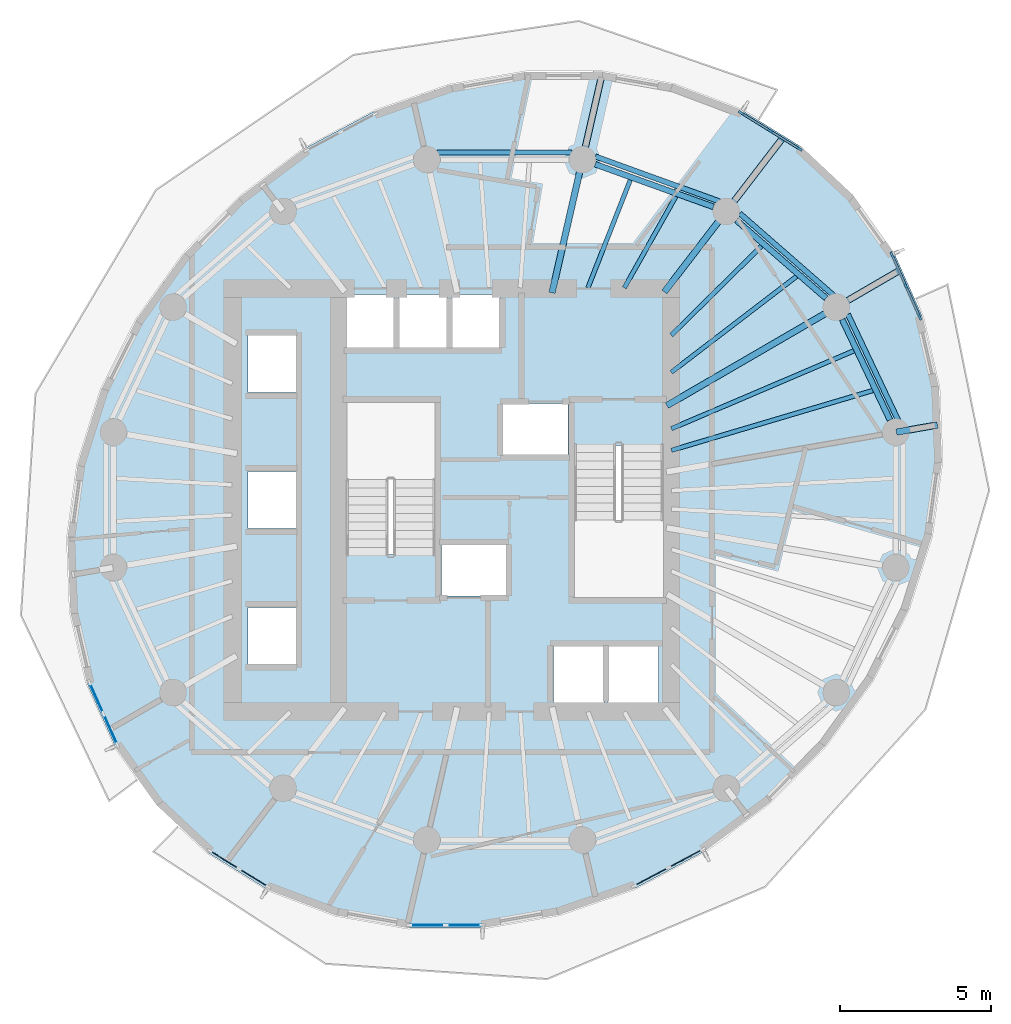
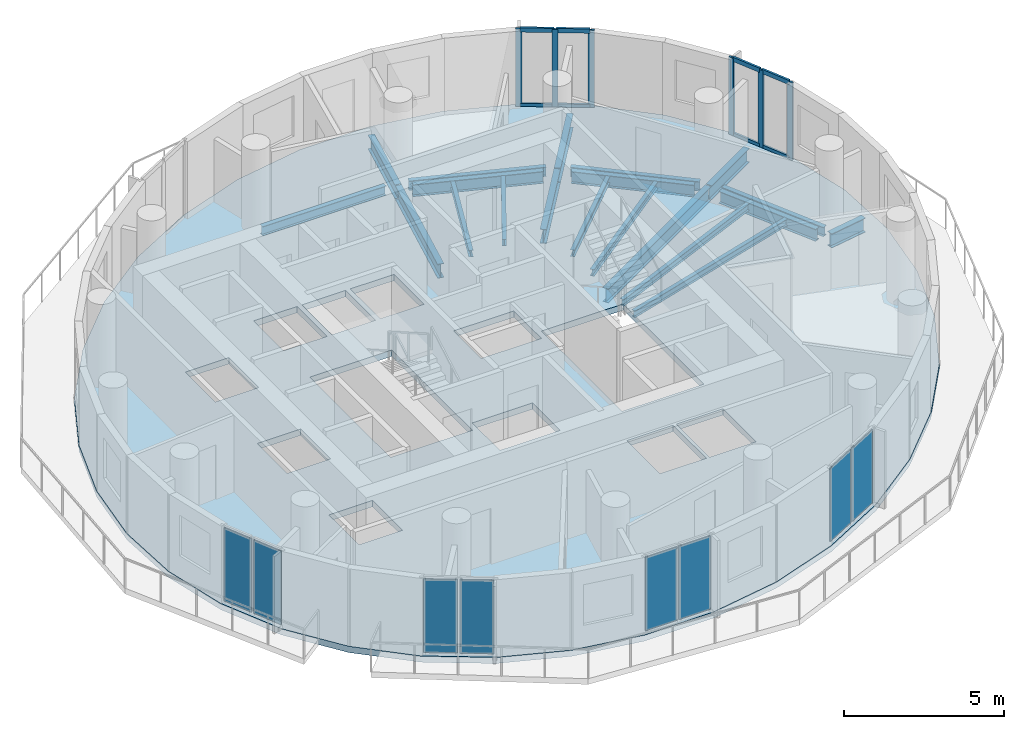
# One storey, part 3 of 10: 20 beams, 14 members, 8 plates, 1 slab, 6 elements without a shape of their own.
"""IFC4 building model written with IfcOpenShell, lengths in metres."""

from ifc_helpers import new_model, si_unit, direction, frame, origin, origin_2d, place, context, subcontext, project, spatial, polyline, rectangle, i_section, outline, extrude, material, layer, layer_set, material_profile, profile_set, type_object, element, aggregate, save


model = new_model("IFC4")

# Units and contexts
model_context = context("Model", 3, precision=1e-05, world=origin(), true_north=direction((0.0, 1.0)))
body_context = subcontext(model_context, "Body", "Model", "MODEL_VIEW")
ifc_project = project(units=[si_unit("LENGTHUNIT", "METRE"), si_unit("AREAUNIT", "SQUARE_METRE"), si_unit("VOLUMEUNIT", "CUBIC_METRE"), si_unit("PLANEANGLEUNIT", "RADIAN"), si_unit("MASSUNIT", "GRAM", prefix="KILO")], contexts=[model_context])

# Site, building, storey
site_placement = place(None, origin())
site = spatial("IfcSite", under=ifc_project, at=site_placement, CompositionType="ELEMENT")
building_placement = place(site_placement, origin())
building = spatial("IfcBuilding", under=site, at=building_placement, Name="Veldorim Arch Residences", CompositionType="ELEMENT")
storey_placement = place(building_placement, frame((0.0, 0.0, 166.239990234375)))
storey = spatial("IfcBuildingStorey", under=building, at=storey_placement, Name="L49", CompositionType="ELEMENT", Elevation=166.239990234375)

# Beams
ifc_material_1 = material(Name="Steel S355", Category="steel")
ifc_material_profile_1 = material_profile(ifc_material_1, i_section(OverallWidth=0.2119140625, OverallDepth=0.54443359375, WebThickness=0.0126953125, FlangeThickness=0.021240234375, at=origin_2d()), Name="UB533x210x122")
ifc_profile_set_1 = profile_set([ifc_material_profile_1], Name="Steel S355")
beam_type_1 = type_object("IfcBeamType", Name="Structural Steel Beam UB533x210x122", PredefinedType="BEAM", material=ifc_profile_set_1)
beam_1_placement = place(storey_placement, frame((44.966064453125, 26.242919921875, -0.51220703125), z_axis=(0.985349360006, 0.170548054035, 0.0), x_axis=(-0.170548054035, 0.985349360006, 0.0)))
element("IfcBeam", 1, at=beam_1_placement, inside=storey, type_object=beam_type_1, Name="L49 radial edge cantilever girder 01", PredefinedType="BEAM", context=body_context, shape_type="SweptSolid", body=[
    extrude(i_section(OverallWidth=0.2119140625, OverallDepth=0.54443359375, WebThickness=0.0126953125, FlangeThickness=0.021240234375, at=origin_2d()), origin(), (0.0, 0.0, 1.0), 1.377197265625),
])
beam_2_placement = place(storey_placement, frame((37.370361328125, 27.12060546875, -0.51220703125), z_axis=(0.864595736304, 0.502468121142, 0.0), x_axis=(-0.502468121142, 0.864595736304, 0.0)))
element("IfcBeam", 2, at=beam_2_placement, inside=storey, type_object=beam_type_1, Name="L49 radial floor girder 02", PredefinedType="BEAM", context=body_context, shape_type="SweptSolid", body=[
    extrude(i_section(OverallWidth=0.2119140625, OverallDepth=0.54443359375, WebThickness=0.0126953125, FlangeThickness=0.021240234375, at=origin_2d()), origin(), (0.0, 0.0, 1.0), 6.462646484375),
])
beam_3_placement = place(storey_placement, frame((42.99267578125, 30.387939453125, -0.51220703125), z_axis=(0.864610127671, 0.502443357135, 0.0), x_axis=(-0.502443357135, 0.864610127671, 0.0)))
element("IfcBeam", 3, at=beam_3_placement, inside=storey, type_object=beam_type_1, Name="L49 radial edge cantilever girder 02", PredefinedType="BEAM", context=body_context, shape_type="SweptSolid", body=[
    extrude(i_section(OverallWidth=0.2119140625, OverallDepth=0.54443359375, WebThickness=0.0126953125, FlangeThickness=0.021240234375, at=origin_2d()), origin(), (0.0, 0.0, 1.0), 2.372314453125),
])
beam_4_placement = place(storey_placement, frame((37.28662109375, 30.881103515625, -0.51220703125), z_axis=(0.609258442308, 0.792971721108, 0.0), x_axis=(-0.792971721108, 0.609258442308, 0.0)))
element("IfcBeam", 4, at=beam_4_placement, inside=storey, type_object=beam_type_1, Name="L49 radial floor girder 03", PredefinedType="BEAM", context=body_context, shape_type="SweptSolid", body=[
    extrude(i_section(OverallWidth=0.2119140625, OverallDepth=0.54443359375, WebThickness=0.0126953125, FlangeThickness=0.021240234375, at=origin_2d()), origin(), (0.0, 0.0, 1.0), 3.339599609375),
])
beam_5_placement = place(storey_placement, frame((39.345703125, 33.561279296875, -0.51220703125), z_axis=(0.609245785417, 0.792981445528, 0.0), x_axis=(-0.792981445528, 0.609245785417, 0.0)))
element("IfcBeam", 5, at=beam_5_placement, inside=storey, type_object=beam_type_1, Name="L49 radial edge cantilever girder 03", PredefinedType="BEAM", context=body_context, shape_type="SweptSolid", body=[
    extrude(i_section(OverallWidth=0.2119140625, OverallDepth=0.54443359375, WebThickness=0.0126953125, FlangeThickness=0.021240234375, at=origin_2d()), origin(), (0.0, 0.0, 1.0), 3.020263671875),
])
beam_6_placement = place(storey_placement, frame((33.567626953125, 30.853759765625, -0.51220703125), z_axis=(0.222952976993, 0.97482920045, 0.0), x_axis=(-0.97482920045, 0.222952976993, 0.0)))
element("IfcBeam", 6, at=beam_6_placement, inside=storey, type_object=beam_type_1, Name="L49 radial floor girder 04", PredefinedType="BEAM", context=body_context, shape_type="SweptSolid", body=[
    extrude(i_section(OverallWidth=0.2119140625, OverallDepth=0.54443359375, WebThickness=0.0126953125, FlangeThickness=0.021240234375, at=origin_2d()), origin(), (0.0, 0.0, 1.0), 4.49951171875),
])
beam_7_placement = place(storey_placement, frame((34.57958984375, 35.27880859375, -0.51220703125), z_axis=(0.222975521586, 0.974824044007, 0.0), x_axis=(-0.974824044007, 0.222975521586, 0.0)))
element("IfcBeam", 7, at=beam_7_placement, inside=storey, type_object=beam_type_1, Name="L49 radial edge cantilever girder 04", PredefinedType="BEAM", context=body_context, shape_type="SweptSolid", body=[
    extrude(i_section(OverallWidth=0.2119140625, OverallDepth=0.54443359375, WebThickness=0.0126953125, FlangeThickness=0.021240234375, at=origin_2d()), origin(), (0.0, 0.0, 1.0), 2.85888671875),
])
ifc_material_2 = material(Name="Steel S355", Category="steel")
ifc_material_profile_2 = material_profile(ifc_material_2, i_section(OverallWidth=0.146484375, OverallDepth=0.256103515625, WebThickness=0.00634765625, FlangeThickness=0.010986328125, at=origin_2d()), Name="UB254x146x37")
ifc_profile_set_2 = profile_set([ifc_material_profile_2], Name="Steel S355")
beam_type_2 = type_object("IfcBeamType", Name="Structural Steel Joist UB254x146x37", PredefinedType="JOIST", material=ifc_profile_set_2)
beam_8_placement = place(storey_placement, frame((37.519287109375, 25.639404296875, -0.367919921875), z_axis=(0.958594432792, 0.284774846889, 0.0), x_axis=(-0.284774846889, 0.958594432792, 0.0)))
element("IfcBeam", 8, at=beam_8_placement, inside=storey, type_object=beam_type_2, Name="L49 secondary radial floor joist 01-1", PredefinedType="JOIST", context=body_context, shape_type="SweptSolid", body=[
    extrude(i_section(OverallWidth=0.146484375, OverallDepth=0.256103515625, WebThickness=0.00634765625, FlangeThickness=0.010986328125, at=origin_2d()), origin(), (0.0, 0.0, 1.0), 6.949462890625),
])
beam_9_placement = place(storey_placement, frame((37.518310546875, 26.355712890625, -0.367919921875), z_axis=(0.919725161652, 0.392562895629, 0.0), x_axis=(-0.392562895629, 0.919725161652, 0.0)))
element("IfcBeam", 9, at=beam_9_placement, inside=storey, type_object=beam_type_2, Name="L49 secondary radial floor joist 01-2", PredefinedType="JOIST", context=body_context, shape_type="SweptSolid", body=[
    extrude(i_section(OverallWidth=0.146484375, OverallDepth=0.256103515625, WebThickness=0.00634765625, FlangeThickness=0.010986328125, at=origin_2d()), origin(), (0.0, 0.0, 1.0), 6.5625),
])
beam_10_placement = place(storey_placement, frame((37.515869140625, 28.222900390625, -0.367919921875), z_axis=(0.794013672216, 0.607899899929, 0.0), x_axis=(-0.607899899929, 0.794013672216, 0.0)))
element("IfcBeam", 10, at=beam_10_placement, inside=storey, type_object=beam_type_2, Name="L49 secondary radial floor joist 02-1", PredefinedType="JOIST", context=body_context, shape_type="SweptSolid", body=[
    extrude(i_section(OverallWidth=0.146484375, OverallDepth=0.256103515625, WebThickness=0.00634765625, FlangeThickness=0.010986328125, at=origin_2d()), origin(), (0.0, 0.0, 1.0), 5.217041015625),
])
beam_11_placement = place(storey_placement, frame((37.51416015625, 29.44775390625, -0.367919921875), z_axis=(0.711396725432, 0.702790650937, 0.0), x_axis=(-0.702790650937, 0.711396725432, 0.0)))
element("IfcBeam", 11, at=beam_11_placement, inside=storey, type_object=beam_type_2, Name="L49 secondary radial floor joist 02-2", PredefinedType="JOIST", context=body_context, shape_type="SweptSolid", body=[
    extrude(i_section(OverallWidth=0.146484375, OverallDepth=0.256103515625, WebThickness=0.00634765625, FlangeThickness=0.010986328125, at=origin_2d()), origin(), (0.0, 0.0, 1.0), 4.198486328125),
])
beam_12_placement = place(storey_placement, frame((35.960205078125, 31.017333984375, -0.367919921875), z_axis=(0.491452469585, 0.870904397818, 0.0), x_axis=(-0.870904397818, 0.491452469585, 0.0)))
element("IfcBeam", 12, at=beam_12_placement, inside=storey, type_object=beam_type_2, Name="L49 secondary radial floor joist 03-1", PredefinedType="JOIST", context=body_context, shape_type="SweptSolid", body=[
    extrude(i_section(OverallWidth=0.146484375, OverallDepth=0.256103515625, WebThickness=0.00634765625, FlangeThickness=0.010986328125, at=origin_2d()), origin(), (0.0, 0.0, 1.0), 3.472412109375),
])
beam_13_placement = place(storey_placement, frame((34.75634765625, 31.0185546875, -0.367919921875), z_axis=(0.365581383042, 0.930779379001, 0.0), x_axis=(-0.930779379001, 0.365581383042, 0.0)))
element("IfcBeam", 13, at=beam_13_placement, inside=storey, type_object=beam_type_2, Name="L49 secondary radial floor joist 03-2", PredefinedType="JOIST", context=body_context, shape_type="SweptSolid", body=[
    extrude(i_section(OverallWidth=0.146484375, OverallDepth=0.256103515625, WebThickness=0.00634765625, FlangeThickness=0.010986328125, at=origin_2d()), origin(), (0.0, 0.0, 1.0), 3.83056640625),
])
ifc_material_3 = material(Name="Steel S355", Category="steel")
ifc_material_profile_3 = material_profile(ifc_material_3, i_section(OverallWidth=0.172119140625, OverallDepth=0.35791015625, WebThickness=0.008056640625, FlangeThickness=0.012939453125, at=origin_2d()), Name="UB356x171x57")
ifc_profile_set_3 = profile_set([ifc_material_profile_3], Name="Steel S355")
beam_type_3 = type_object("IfcBeamType", Name="Structural Steel Spandrel UB356x171x57", PredefinedType="SPANDREL", material=ifc_profile_set_3)
beam_14_placement = place(storey_placement, frame((45.0205078125, 26.6396484375, -0.43896484375), z_axis=(-0.428408308939, 0.903585259304, 0.0), x_axis=(-0.903585259304, -0.428408308939, 0.0)))
element("IfcBeam", 14, at=beam_14_placement, inside=storey, type_object=beam_type_3, Name="L49 perimeter chord spandrel beam 01", PredefinedType="SPANDREL", context=body_context, shape_type="SweptSolid", body=[
    extrude(i_section(OverallWidth=0.172119140625, OverallDepth=0.35791015625, WebThickness=0.008056640625, FlangeThickness=0.012939453125, at=origin_2d()), origin(), (0.0, 0.0, 1.0), 3.878662109375),
])
beam_15_placement = place(storey_placement, frame((42.891357421875, 30.762939453125, -0.43896484375), z_axis=(-0.752847646119, 0.6581948205, 0.0), x_axis=(-0.6581948205, -0.752847646119, 0.0)))
element("IfcBeam", 15, at=beam_15_placement, inside=storey, type_object=beam_type_3, Name="L49 perimeter chord spandrel beam 02", PredefinedType="SPANDREL", context=body_context, shape_type="SweptSolid", body=[
    extrude(i_section(OverallWidth=0.172119140625, OverallDepth=0.35791015625, WebThickness=0.008056640625, FlangeThickness=0.012939453125, at=origin_2d()), origin(), (0.0, 0.0, 1.0), 4.12939453125),
])
beam_16_placement = place(storey_placement, frame((39.112060546875, 33.87646484375, -0.43896484375), z_axis=(-0.940164695555, 0.340720332871, 0.0), x_axis=(-0.340720332871, -0.940164695555, 0.0)))
element("IfcBeam", 16, at=beam_16_placement, inside=storey, type_object=beam_type_3, Name="L49 perimeter chord spandrel beam 03", PredefinedType="SPANDREL", context=body_context, shape_type="SweptSolid", body=[
    extrude(i_section(OverallWidth=0.172119140625, OverallDepth=0.35791015625, WebThickness=0.008056640625, FlangeThickness=0.012939453125, at=origin_2d()), origin(), (0.0, 0.0, 1.0), 4.370849609375),
])
beam_17_placement = place(storey_placement, frame((34.234375, 35.500732421875, -0.43896484375), z_axis=(-1.0, 0.0, 0.0), x_axis=(0.0, -1.0, 0.0)))
element("IfcBeam", 17, at=beam_17_placement, inside=storey, type_object=beam_type_3, Name="L49 perimeter chord spandrel beam 04", PredefinedType="SPANDREL", context=body_context, shape_type="SweptSolid", body=[
    extrude(i_section(OverallWidth=0.172119140625, OverallDepth=0.35791015625, WebThickness=0.008056640625, FlangeThickness=0.012939453125, at=origin_2d()), origin(), (0.0, 0.0, 1.0), 4.46875),
])
ifc_material_4 = material(Name="Steel S355", Category="steel")
ifc_material_profile_4 = material_profile(ifc_material_4, i_section(OverallWidth=0.19140625, OverallDepth=0.4599609375, WebThickness=0.010009765625, FlangeThickness=0.01611328125, at=origin_2d()), Name="UB457x191x82")
ifc_profile_set_4 = profile_set([ifc_material_profile_4], Name="Steel S355")
beam_type_4 = type_object("IfcBeamType", Name="Structural Steel Spandrel UB457x191x82", PredefinedType="SPANDREL", material=ifc_profile_set_4)
beam_18_placement = place(storey_placement, frame((44.7529296875, 26.64599609375, -0.469970703125), z_axis=(-0.430005613988, 0.902826213586, 0.0), x_axis=(-0.902826213586, -0.430005613988, 0.0)))
element("IfcBeam", 18, at=beam_18_placement, inside=storey, type_object=beam_type_4, Name="L49 perimeter ring tie beam 01", PredefinedType="SPANDREL", context=body_context, shape_type="SweptSolid", body=[
    extrude(i_section(OverallWidth=0.19140625, OverallDepth=0.4599609375, WebThickness=0.010009765625, FlangeThickness=0.01611328125, at=origin_2d()), origin(), (0.0, 0.0, 1.0), 3.68359375),
])
beam_19_placement = place(storey_placement, frame((42.635986328125, 30.673095703125, -0.469970703125), z_axis=(-0.754545285701, 0.656247980436, 0.0), x_axis=(-0.656247980436, -0.754545285701, 0.0)))
element("IfcBeam", 19, at=beam_19_placement, inside=storey, type_object=beam_type_4, Name="L49 perimeter ring tie beam 02", PredefinedType="SPANDREL", context=body_context, shape_type="SweptSolid", body=[
    extrude(i_section(OverallWidth=0.19140625, OverallDepth=0.4599609375, WebThickness=0.010009765625, FlangeThickness=0.01611328125, at=origin_2d()), origin(), (0.0, 0.0, 1.0), 3.9267578125),
])
beam_20_placement = place(storey_placement, frame((38.91015625, 33.69775390625, -0.469970703125), z_axis=(-0.940811035395, 0.338931550137, 0.0), x_axis=(-0.338931550137, -0.940811035395, 0.0)))
element("IfcBeam", 20, at=beam_20_placement, inside=storey, type_object=beam_type_4, Name="L49 perimeter ring tie beam 03", PredefinedType="SPANDREL", context=body_context, shape_type="SweptSolid", body=[
    extrude(i_section(OverallWidth=0.19140625, OverallDepth=0.4599609375, WebThickness=0.010009765625, FlangeThickness=0.01611328125, at=origin_2d()), origin(), (0.0, 0.0, 1.0), 4.15771484375),
])

# Curtain wall, members
ifc_material_5 = material(Name="Aluminium", Category="aluminium")
curtain_wall_type = type_object("IfcCurtainWallType", Name="Zone 4 High-Altitude Unitised Curtain Wall", PredefinedType="NOTDEFINED", material=ifc_material_5)
curtain_wall_1_placement = place(storey_placement, origin())
curtain_wall_1 = element("IfcCurtainWall", 21, at=curtain_wall_1_placement, inside=storey, type_object=curtain_wall_type, Name="L49 unitised curtain wall bay 02", PredefinedType="NOTDEFINED")
ifc_material_6 = material(Name="Aluminium", Category="aluminium")
ifc_material_profile_5 = material_profile(ifc_material_6, rectangle(XDim=0.074951171875, YDim=0.195068359375, at=origin_2d()), Name="ALU_MUL_75x195")
ifc_profile_set_5 = profile_set([ifc_material_profile_5], Name="Aluminium")
member_type_1 = type_object("IfcMemberType", Name="Zone 4 High-Altitude Unitised Curtain Wall Mullion 75x195", PredefinedType="MULLION", material=ifc_profile_set_5)
member_1_placement = place(storey_placement, frame((39.82470703125, 36.80859375, 0.0), z_axis=(0.0, 0.0, 1.0), x_axis=(0.525637112191, 0.850708896326, 0.0)))
member_1 = element("IfcMember", 22, at=member_1_placement, type_object=member_type_1, Name="CW-Z4 mullion 1", PredefinedType="MULLION", context=body_context, shape_type="SweptSolid", body=[
    extrude(rectangle(XDim=0.074951171875, YDim=0.195068359375, at=origin_2d()), origin(), (0.0, 0.0, 1.0), 2.9599609375),
])
member_2_placement = place(storey_placement, frame((40.791015625, 36.21142578125, 0.0), z_axis=(0.0, 0.0, 1.0), x_axis=(0.525637112191, 0.850708896326, 0.0)))
member_2 = element("IfcMember", 23, at=member_2_placement, type_object=member_type_1, Name="CW-Z4 mullion 2", PredefinedType="MULLION", context=body_context, shape_type="SweptSolid", body=[
    extrude(rectangle(XDim=0.074951171875, YDim=0.195068359375, at=origin_2d()), origin(), (0.0, 0.0, 1.0), 2.9599609375),
])
member_3_placement = place(storey_placement, frame((41.75732421875, 35.614501953125, 0.0), z_axis=(0.0, 0.0, 1.0), x_axis=(0.525637112191, 0.850708896326, 0.0)))
member_3 = element("IfcMember", 24, at=member_3_placement, type_object=member_type_1, Name="CW-Z4 mullion 3", PredefinedType="MULLION", context=body_context, shape_type="SweptSolid", body=[
    extrude(rectangle(XDim=0.074951171875, YDim=0.195068359375, at=origin_2d()), origin(), (0.0, 0.0, 1.0), 2.9599609375),
])

curtain_wall_2_placement = place(storey_placement, origin())
curtain_wall_2 = element("IfcCurtainWall", 25, at=curtain_wall_2_placement, inside=storey, type_object=curtain_wall_type, Name="L49 unitised curtain wall bay 35", PredefinedType="NOTDEFINED")
member_4_placement = place(storey_placement, frame((44.814208984375, 32.117431640625, 0.0), z_axis=(0.0, 0.0, 1.0), x_axis=(0.913308311578, 0.407268864514, 0.0)))
member_4 = element("IfcMember", 26, at=member_4_placement, type_object=member_type_1, Name="CW-Z4 mullion 1", PredefinedType="MULLION", context=body_context, shape_type="SweptSolid", body=[
    extrude(rectangle(XDim=0.074951171875, YDim=0.195068359375, at=origin_2d()), origin(), (0.0, 0.0, 1.0), 2.9599609375),
])
member_5_placement = place(storey_placement, frame((45.27685546875, 31.080078125, 0.0), z_axis=(0.0, 0.0, 1.0), x_axis=(0.913308311578, 0.407268864514, 0.0)))
member_5 = element("IfcMember", 27, at=member_5_placement, type_object=member_type_1, Name="CW-Z4 mullion 2", PredefinedType="MULLION", context=body_context, shape_type="SweptSolid", body=[
    extrude(rectangle(XDim=0.074951171875, YDim=0.195068359375, at=origin_2d()), origin(), (0.0, 0.0, 1.0), 2.9599609375),
])
member_6_placement = place(storey_placement, frame((45.739501953125, 30.042724609375, 0.0), z_axis=(0.0, 0.0, 1.0), x_axis=(0.913308311578, 0.407268864514, 0.0)))
member_6 = element("IfcMember", 28, at=member_6_placement, type_object=member_type_1, Name="CW-Z4 mullion 3", PredefinedType="MULLION", context=body_context, shape_type="SweptSolid", body=[
    extrude(rectangle(XDim=0.074951171875, YDim=0.195068359375, at=origin_2d()), origin(), (0.0, 0.0, 1.0), 2.9599609375),
])

# Member
ifc_material_7 = material(Name="Aluminium", Category="aluminium")
ifc_material_profile_6 = material_profile(ifc_material_7, rectangle(XDim=0.074951171875, YDim=0.1650390625, at=origin_2d()), Name="ALU_TRN_75x165")
ifc_profile_set_6 = profile_set([ifc_material_profile_6], Name="Aluminium")
member_type_2 = type_object("IfcMemberType", Name="Zone 4 High-Altitude Unitised Curtain Wall Transom 75x165", PredefinedType="USERDEFINED", material=ifc_profile_set_6)
member_7_placement = place(storey_placement, frame((39.8564453125, 36.788818359375, 0.03759765625), z_axis=(0.850740499179, -0.525585961624, 0.0), x_axis=(0.525585961624, 0.850740499179, 0.0)))
member_7 = element("IfcMember", 29, at=member_7_placement, type_object=member_type_2, Name="CW-Z4 transom 1.1", ObjectType="TRANSOM", PredefinedType="USERDEFINED", context=body_context, shape_type="SweptSolid", body=[
    extrude(rectangle(XDim=0.074951171875, YDim=0.1650390625, at=origin_2d()), origin(), (0.0, 0.0, 1.0), 1.06103515625),
])

member_8_placement = place(storey_placement, frame((39.8564453125, 36.788818359375, 2.922607421875), z_axis=(0.850740499179, -0.525585961624, 0.0), x_axis=(0.525585961624, 0.850740499179, 0.0)))
member_8 = element("IfcMember", 30, at=member_8_placement, type_object=member_type_2, Name="CW-Z4 transom 1.2", ObjectType="TRANSOM", PredefinedType="USERDEFINED", context=body_context, shape_type="SweptSolid", body=[
    extrude(rectangle(XDim=0.074951171875, YDim=0.1650390625, at=origin_2d()), origin(), (0.0, 0.0, 1.0), 1.06103515625),
])

member_9_placement = place(storey_placement, frame((40.82275390625, 36.19189453125, 0.03759765625), z_axis=(0.850637601688, -0.525752480351, 0.0), x_axis=(0.525752480351, 0.850637601688, 0.0)))
member_9 = element("IfcMember", 31, at=member_9_placement, type_object=member_type_2, Name="CW-Z4 transom 2.1", ObjectType="TRANSOM", PredefinedType="USERDEFINED", context=body_context, shape_type="SweptSolid", body=[
    extrude(rectangle(XDim=0.074951171875, YDim=0.1650390625, at=origin_2d()), origin(), (0.0, 0.0, 1.0), 1.06103515625),
])

member_10_placement = place(storey_placement, frame((40.82275390625, 36.19189453125, 2.922607421875), z_axis=(0.850637601688, -0.525752480351, 0.0), x_axis=(0.525752480351, 0.850637601688, 0.0)))
member_10 = element("IfcMember", 32, at=member_10_placement, type_object=member_type_2, Name="CW-Z4 transom 2.2", ObjectType="TRANSOM", PredefinedType="USERDEFINED", context=body_context, shape_type="SweptSolid", body=[
    extrude(rectangle(XDim=0.074951171875, YDim=0.1650390625, at=origin_2d()), origin(), (0.0, 0.0, 1.0), 1.06103515625),
])

aggregate(curtain_wall_1, [member_1, member_2, member_3, member_7, member_8, member_9, member_10])

member_11_placement = place(storey_placement, frame((44.829345703125, 32.083251953125, 0.03759765625), z_axis=(0.407291054764, -0.913298416022, 0.0), x_axis=(0.913298416022, 0.407291054764, 0.0)))
member_11 = element("IfcMember", 33, at=member_11_placement, type_object=member_type_2, Name="CW-Z4 transom 1.1", ObjectType="TRANSOM", PredefinedType="USERDEFINED", context=body_context, shape_type="SweptSolid", body=[
    extrude(rectangle(XDim=0.074951171875, YDim=0.1650390625, at=origin_2d()), origin(), (0.0, 0.0, 1.0), 1.06103515625),
])

member_12_placement = place(storey_placement, frame((44.829345703125, 32.083251953125, 2.922607421875), z_axis=(0.407291054764, -0.913298416022, 0.0), x_axis=(0.913298416022, 0.407291054764, 0.0)))
member_12 = element("IfcMember", 34, at=member_12_placement, type_object=member_type_2, Name="CW-Z4 transom 1.2", ObjectType="TRANSOM", PredefinedType="USERDEFINED", context=body_context, shape_type="SweptSolid", body=[
    extrude(rectangle(XDim=0.074951171875, YDim=0.1650390625, at=origin_2d()), origin(), (0.0, 0.0, 1.0), 1.06103515625),
])

member_13_placement = place(storey_placement, frame((45.2919921875, 31.0458984375, 0.03759765625), z_axis=(0.407291054764, -0.913298416022, 0.0), x_axis=(0.913298416022, 0.407291054764, 0.0)))
member_13 = element("IfcMember", 35, at=member_13_placement, type_object=member_type_2, Name="CW-Z4 transom 2.1", ObjectType="TRANSOM", PredefinedType="USERDEFINED", context=body_context, shape_type="SweptSolid", body=[
    extrude(rectangle(XDim=0.074951171875, YDim=0.1650390625, at=origin_2d()), origin(), (0.0, 0.0, 1.0), 1.06103515625),
])

member_14_placement = place(storey_placement, frame((45.2919921875, 31.0458984375, 2.922607421875), z_axis=(0.407291054764, -0.913298416022, 0.0), x_axis=(0.913298416022, 0.407291054764, 0.0)))
member_14 = element("IfcMember", 36, at=member_14_placement, type_object=member_type_2, Name="CW-Z4 transom 2.2", ObjectType="TRANSOM", PredefinedType="USERDEFINED", context=body_context, shape_type="SweptSolid", body=[
    extrude(rectangle(XDim=0.074951171875, YDim=0.1650390625, at=origin_2d()), origin(), (0.0, 0.0, 1.0), 1.06103515625),
])

aggregate(curtain_wall_2, [member_4, member_5, member_6, member_11, member_12, member_13, member_14])

# Slab
ifc_material_8 = material(Name="Concrete C40/50", Category="concrete")
ifc_layer_1 = layer(ifc_material_8, 0.239990234375, Name="Typical Residential Floor Slab 240")
ifc_layer_set_1 = layer_set([ifc_layer_1], Name="Concrete C40/50")
slab_type = type_object("IfcSlabType", Name="Typical Residential Floor Slab 240", PredefinedType="FLOOR", material=ifc_layer_set_1)
slab_placement = place(storey_placement, frame((0.0, 0.0, -0.239990234375)))
element("IfcSlab", 37, at=slab_placement, inside=storey, type_object=slab_type, Name="L49 tower structural floor slab", PredefinedType="FLOOR", context=body_context, shape_type="SweptSolid", body=[
    extrude(outline(polyline([(43.533935546875, 34.0830078125), (41.83642578125, 35.67138671875), (39.840087890625, 36.90478515625), (37.60546875, 37.746337890625), (35.200439453125, 38.170166015625), (32.6982421875, 38.163330078125), (30.1748046875, 37.726318359375), (27.706787109375, 36.8720703125), (25.369384765625, 35.626708984375), (23.2333984375, 34.0283203125), (21.363525390625, 32.125), (19.817138671875, 29.974853515625), (18.640869140625, 27.643310546875), (17.870361328125, 25.20068359375), (17.529296875, 22.721923828125), (17.6279296875, 20.281982421875), (18.1630859375, 17.954833984375), (19.118896484375, 15.8115234375), (20.466064453125, 13.9169921875), (22.16357421875, 12.32861328125), (24.159912109375, 11.09521484375), (26.39453125, 10.253662109375), (28.799560546875, 9.829833984375), (31.3017578125, 9.836669921875), (33.8251953125, 10.273681640625), (36.293212890625, 11.1279296875), (38.630615234375, 12.373291015625), (40.7666015625, 13.9716796875), (42.636474609375, 15.875), (44.182861328125, 18.025146484375), (45.359130859375, 20.356689453125), (46.129638671875, 22.79931640625), (46.470703125, 25.278076171875), (46.3720703125, 27.718017578125), (45.8369140625, 30.045166015625), (44.881103515625, 32.1884765625), (43.533935546875, 34.0830078125)]), holes=[polyline([(23.510009765625, 18.56005859375), (23.510009765625, 20.43994140625), (25.090087890625, 20.43994140625), (25.090087890625, 18.56005859375), (23.510009765625, 18.56005859375)]), polyline([(23.510009765625, 24.93994140625), (25.090087890625, 24.93994140625), (25.090087890625, 23.06005859375), (23.510009765625, 23.06005859375), (23.510009765625, 24.93994140625)]), polyline([(26.75, 27.25), (29.7099609375, 27.25), (29.7099609375, 22.195068359375), (26.75, 22.195068359375), (26.75, 27.25)]), polyline([(23.510009765625, 27.56005859375), (23.510009765625, 29.43994140625), (25.090087890625, 29.43994140625), (25.090087890625, 27.56005859375), (23.510009765625, 27.56005859375)]), polyline([(26.760009765625, 30.7900390625), (28.340087890625, 30.7900390625), (28.340087890625, 28.909912109375), (26.760009765625, 28.909912109375), (26.760009765625, 30.7900390625)]), polyline([(28.510009765625, 30.7900390625), (30.090087890625, 30.7900390625), (30.090087890625, 28.909912109375), (28.510009765625, 28.909912109375), (28.510009765625, 30.7900390625)]), polyline([(33.610107421875, 17.2099609375), (33.610107421875, 19.2900390625), (35.2900390625, 19.2900390625), (35.2900390625, 17.2099609375), (33.610107421875, 17.2099609375)]), polyline([(35.409912109375, 19.2900390625), (37.090087890625, 19.2900390625), (37.090087890625, 17.2099609375), (35.409912109375, 17.2099609375), (35.409912109375, 19.2900390625)]), polyline([(29.909912109375, 22.544921875), (32.090087890625, 22.544921875), (32.090087890625, 20.81494140625), (29.909912109375, 20.81494140625), (29.909912109375, 22.544921875)]), polyline([(34.2900390625, 20.75), (34.2900390625, 25.804931640625), (37.25, 25.804931640625), (37.25, 20.75), (34.2900390625, 20.75)]), polyline([(31.909912109375, 27.18505859375), (34.090087890625, 27.18505859375), (34.090087890625, 25.455078125), (31.909912109375, 25.455078125), (31.909912109375, 27.18505859375)]), polyline([(30.260009765625, 30.7900390625), (31.840087890625, 30.7900390625), (31.840087890625, 28.909912109375), (30.260009765625, 28.909912109375), (30.260009765625, 30.7900390625)])]), origin(), (0.0, 0.0, 1.0), 0.239990234375),
])

# Curtain wall, plates
curtain_wall_3_placement = place(storey_placement, origin())
curtain_wall_3 = element("IfcCurtainWall", 38, at=curtain_wall_3_placement, inside=storey, type_object=curtain_wall_type, Name="L49 unitised curtain wall bay 17", PredefinedType="NOTDEFINED")
ifc_material_9 = material(Name="Laminated Low-E Glass", Category="glass")
ifc_layer_2 = layer(ifc_material_9, 0.030029296875, Name="Zone 4 High-Altitude Unitised Curtain Wall Glazing Panel 30")
ifc_layer_set_2 = layer_set([ifc_layer_2], Name="Laminated Low-E Glass")
plate_type = type_object("IfcPlateType", Name="Zone 4 High-Altitude Unitised Curtain Wall Glazing Panel 30", PredefinedType="CURTAIN_PANEL", material=ifc_layer_set_2)
plate_1_placement = place(storey_placement, frame((18.95458984375, 16.401123046875, 0.074951171875), z_axis=(0.0, 0.0, 1.0), x_axis=(-0.407268864514, 0.913308311578, 0.0)))
plate_1 = element("IfcPlate", 39, at=plate_1_placement, type_object=plate_type, Name="CW-Z4 panel 1.1", PredefinedType="CURTAIN_PANEL", context=body_context, shape_type="SweptSolid", body=[
    extrude(rectangle(XDim=1.06103515625, YDim=0.030029296875, at=origin_2d()), origin(), (0.0, 0.0, 1.0), 2.81005859375),
])
plate_2_placement = place(storey_placement, frame((18.491943359375, 17.438720703125, 0.074951171875), z_axis=(0.0, 0.0, 1.0), x_axis=(-0.407268864514, 0.913308311578, 0.0)))
plate_2 = element("IfcPlate", 40, at=plate_2_placement, type_object=plate_type, Name="CW-Z4 panel 2.1", PredefinedType="CURTAIN_PANEL", context=body_context, shape_type="SweptSolid", body=[
    extrude(rectangle(XDim=1.06103515625, YDim=0.030029296875, at=origin_2d()), origin(), (0.0, 0.0, 1.0), 2.81005859375),
])
aggregate(curtain_wall_3, [plate_1, plate_2])

curtain_wall_4_placement = place(storey_placement, origin())
curtain_wall_4 = element("IfcCurtainWall", 41, at=curtain_wall_4_placement, inside=storey, type_object=curtain_wall_type, Name="L49 unitised curtain wall bay 20", PredefinedType="NOTDEFINED")
plate_3_placement = place(storey_placement, frame((23.692138671875, 11.489990234375, 0.074951171875), z_axis=(0.0, 0.0, 1.0), x_axis=(-0.850708896326, 0.525637112191, 0.0)))
plate_3 = element("IfcPlate", 42, at=plate_3_placement, type_object=plate_type, Name="CW-Z4 panel 1.1", PredefinedType="CURTAIN_PANEL", context=body_context, shape_type="SweptSolid", body=[
    extrude(rectangle(XDim=1.06103515625, YDim=0.030029296875, at=origin_2d()), origin(), (0.0, 0.0, 1.0), 2.81005859375),
])
plate_4_placement = place(storey_placement, frame((22.725830078125, 12.087158203125, 0.074951171875), z_axis=(0.0, 0.0, 1.0), x_axis=(-0.850708896326, 0.525637112191, 0.0)))
plate_4 = element("IfcPlate", 43, at=plate_4_placement, type_object=plate_type, Name="CW-Z4 panel 2.1", PredefinedType="CURTAIN_PANEL", context=body_context, shape_type="SweptSolid", body=[
    extrude(rectangle(XDim=1.06103515625, YDim=0.030029296875, at=origin_2d()), origin(), (0.0, 0.0, 1.0), 2.81005859375),
])
aggregate(curtain_wall_4, [plate_3, plate_4])

curtain_wall_5_placement = place(storey_placement, origin())
curtain_wall_5 = element("IfcCurtainWall", 44, at=curtain_wall_5_placement, inside=storey, type_object=curtain_wall_type, Name="L49 unitised curtain wall bay 23", PredefinedType="NOTDEFINED")
plate_5_placement = place(storey_placement, frame((30.6572265625, 9.9248046875, 0.074951171875), z_axis=(0.0, 0.0, 1.0), x_axis=(-0.999996415131, -0.002677634077, 0.0)))
plate_5 = element("IfcPlate", 45, at=plate_5_placement, type_object=plate_type, Name="CW-Z4 panel 1.1", PredefinedType="CURTAIN_PANEL", context=body_context, shape_type="SweptSolid", body=[
    extrude(rectangle(XDim=1.138671875, YDim=0.030029296875, at=origin_2d()), origin(), (0.0, 0.0, 1.0), 2.81005859375),
])
plate_6_placement = place(storey_placement, frame((29.443603515625, 9.921630859375, 0.074951171875), z_axis=(0.0, 0.0, 1.0), x_axis=(-0.999996415131, -0.002677634077, 0.0)))
plate_6 = element("IfcPlate", 46, at=plate_6_placement, type_object=plate_type, Name="CW-Z4 panel 2.1", PredefinedType="CURTAIN_PANEL", context=body_context, shape_type="SweptSolid", body=[
    extrude(rectangle(XDim=1.138671875, YDim=0.030029296875, at=origin_2d()), origin(), (0.0, 0.0, 1.0), 2.81005859375),
])
aggregate(curtain_wall_5, [plate_5, plate_6])

curtain_wall_6_placement = place(storey_placement, origin())
curtain_wall_6 = element("IfcCurtainWall", 47, at=curtain_wall_6_placement, inside=storey, type_object=curtain_wall_type, Name="L49 unitised curtain wall bay 26", PredefinedType="NOTDEFINED")
plate_7_placement = place(storey_placement, frame((37.987548828125, 12.132568359375, 0.074951171875), z_axis=(0.0, 0.0, 1.0), x_axis=(-0.882567110223, -0.470186448073, 0.0)))
plate_7 = element("IfcPlate", 48, at=plate_7_placement, type_object=plate_type, Name="CW-Z4 panel 1.1", PredefinedType="CURTAIN_PANEL", context=body_context, shape_type="SweptSolid", body=[
    extrude(rectangle(XDim=1.211669921875, YDim=0.030029296875, at=origin_2d()), origin(), (0.0, 0.0, 1.0), 2.81005859375),
])
plate_8_placement = place(storey_placement, frame((36.851806640625, 11.52734375, 0.074951171875), z_axis=(0.0, 0.0, 1.0), x_axis=(-0.882567110223, -0.470186448073, 0.0)))
plate_8 = element("IfcPlate", 49, at=plate_8_placement, type_object=plate_type, Name="CW-Z4 panel 2.1", PredefinedType="CURTAIN_PANEL", context=body_context, shape_type="SweptSolid", body=[
    extrude(rectangle(XDim=1.211669921875, YDim=0.030029296875, at=origin_2d()), origin(), (0.0, 0.0, 1.0), 2.81005859375),
])
aggregate(curtain_wall_6, [plate_7, plate_8])

save(model, "model.ifc")
